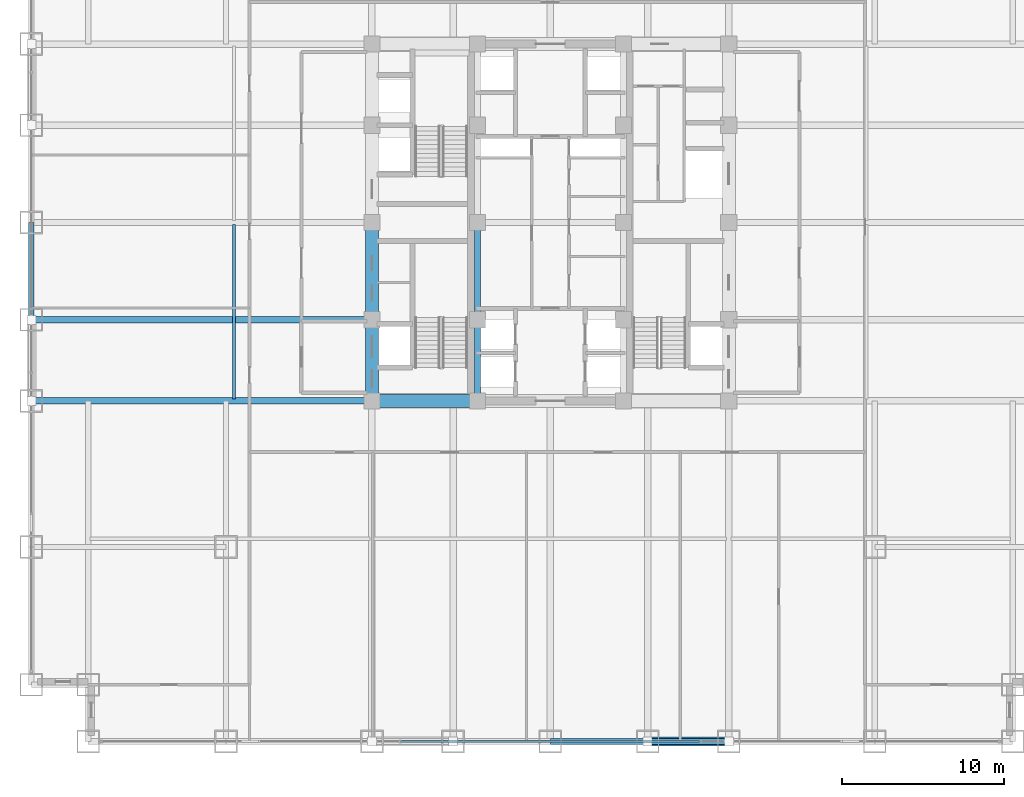
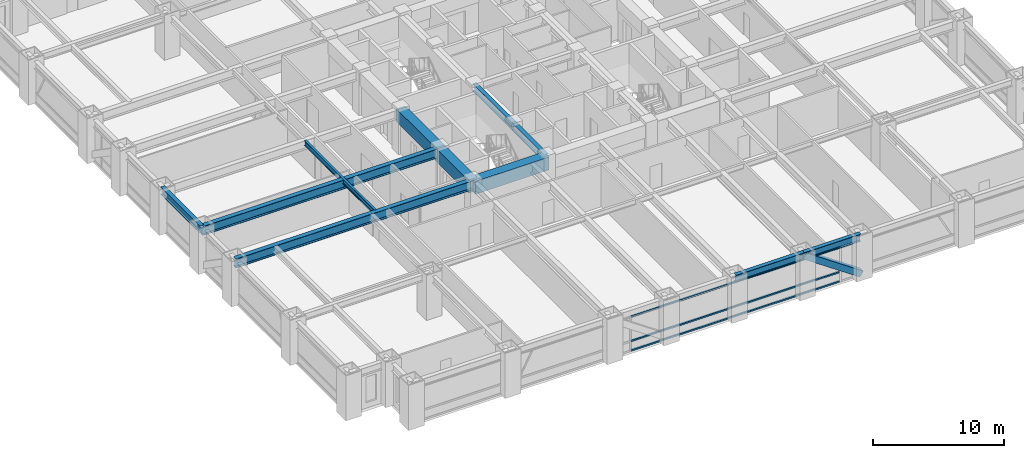
# One storey, part 7 of 27: 11 beams, 4 members, 1 element without a shape of its own.
"""IFC4 building model written with IfcOpenShell, lengths in metres."""

from ifc_helpers import new_model, si_unit, direction, frame, origin, origin_2d, place, context, subcontext, project, spatial, rectangle, hollow_rectangle, i_section, extrude, source, transform, mapped, material, material_profile, profile_set, type_object, element, aggregate, save


model = new_model("IFC4")

# Units and contexts
model_context = context("Model", 3, precision=1e-05, world=origin(), true_north=direction((0.0, 1.0)))
body_context = subcontext(model_context, "Body", "Model", "MODEL_VIEW")
ifc_project = project(units=[si_unit("LENGTHUNIT", "METRE"), si_unit("AREAUNIT", "SQUARE_METRE"), si_unit("VOLUMEUNIT", "CUBIC_METRE"), si_unit("PLANEANGLEUNIT", "RADIAN"), si_unit("MASSUNIT", "GRAM", prefix="KILO")], contexts=[model_context])

# Site, building, storey
site_placement = place(None, origin())
site = spatial("IfcSite", under=ifc_project, at=site_placement, CompositionType="ELEMENT")
building_placement = place(site_placement, origin())
building = spatial("IfcBuilding", under=site, at=building_placement, Name="Khorayat Bourse Tower", CompositionType="ELEMENT")
storey_placement = place(building_placement, frame((0.0, 0.0, 45.199951171875)))
storey = spatial("IfcBuildingStorey", under=building, at=storey_placement, Name="L09", CompositionType="ELEMENT", Elevation=45.199951171875)

# Beams
ifc_material_1 = material(Name="Concrete C72/90", Category="concrete")
ifc_material_profile_1 = material_profile(ifc_material_1, rectangle(XDim=0.800048828125, YDim=1.199951171875, at=origin_2d()), Name="RC 800x1200")
ifc_profile_set_1 = profile_set([ifc_material_profile_1], Name="Concrete C72/90")
beam_type_1 = type_object("IfcBeamType", Name="BM-COUP-1200", PredefinedType="BEAM", material=ifc_profile_set_1)
shared_shape_1 = source(origin(), body_context, "Body", "SweptSolid", [
    extrude(rectangle(XDim=0.800048828125, YDim=1.199951171875, at=origin_2d()), origin(), (0.0, 0.0, 1.0), 5.0),
])
beam_1_placement = place(storey_placement, frame((-11.0, -11.0, 3.340087890625), z_axis=(0.0, 1.0, 0.0), x_axis=(-1.0, 0.0, 0.0)))
element("IfcBeam", 1, at=beam_1_placement, inside=storey, type_object=beam_type_1, Name="L09 BM-COUP-1200 BM-L09-CRX-01", PredefinedType="BEAM", context=body_context, shape_type="MappedRepresentation", body=[
    mapped(shared_shape_1, transform((0.0, 0.0, 0.0), scale=1.0)),
])
shared_shape_2 = source(origin(), body_context, "Body", "SweptSolid", [
    extrude(rectangle(XDim=0.800048828125, YDim=1.199951171875, at=origin_2d()), origin(), (0.0, 0.0, 1.0), 6.0),
])
beam_2_placement = place(storey_placement, frame((-11.0, -6.0, 3.340087890625), z_axis=(0.0, 1.0, 0.0), x_axis=(-1.0, 0.0, 0.0)))
element("IfcBeam", 2, at=beam_2_placement, inside=storey, type_object=beam_type_1, Name="L09 BM-COUP-1200 BM-L09-CRX-02", PredefinedType="BEAM", context=body_context, shape_type="MappedRepresentation", body=[
    mapped(shared_shape_2, transform((0.0, 0.0, 0.0), scale=1.0)),
])
ifc_material_2 = material(Name="Steel ASTM A992 Grade 50", Category="steel")
ifc_material_profile_2 = material_profile(ifc_material_2, i_section(OverallWidth=0.35498046875, OverallDepth=0.695068359375, WebThickness=0.015380859375, FlangeThickness=0.02490234375, FilletRadius=0.01806640625, at=origin_2d()), Name="W690X217")
ifc_profile_set_2 = profile_set([ifc_material_profile_2], Name="Steel ASTM A992 Grade 50")
beam_type_2 = type_object("IfcBeamType", Name="BM-GIRD-690", PredefinedType="BEAM", material=ifc_profile_set_2)
shared_shape_3 = source(origin(), body_context, "Body", "SweptSolid", [
    extrude(i_section(OverallWidth=0.35498046875, OverallDepth=0.695068359375, WebThickness=0.015380859375, FlangeThickness=0.02490234375, FilletRadius=0.01806640625, at=origin_2d()), origin(), (0.0, 0.0, 1.0), 5.0),
])
beam_3_placement = place(storey_placement, frame((-4.5, -11.0, 3.592529296875), z_axis=(0.0, 1.0, 0.0), x_axis=(-1.0, 0.0, 0.0)))
element("IfcBeam", 3, at=beam_3_placement, inside=storey, type_object=beam_type_2, Name="L09 BM-GIRD-690 BM-L09-CRX-05", PredefinedType="BEAM", context=body_context, shape_type="MappedRepresentation", body=[
    mapped(shared_shape_3, transform((0.0, 0.0, 0.0), scale=1.0)),
])
shared_shape_4 = source(origin(), body_context, "Body", "SweptSolid", [
    extrude(i_section(OverallWidth=0.35498046875, OverallDepth=0.695068359375, WebThickness=0.015380859375, FlangeThickness=0.02490234375, FilletRadius=0.01806640625, at=origin_2d()), origin(), (0.0, 0.0, 1.0), 6.0),
])
beam_4_placement = place(storey_placement, frame((-4.5, -6.0, 3.592529296875), z_axis=(0.0, 1.0, 0.0), x_axis=(-1.0, 0.0, 0.0)))
element("IfcBeam", 4, at=beam_4_placement, inside=storey, type_object=beam_type_2, Name="L09 BM-GIRD-690 BM-L09-CRX-06", PredefinedType="BEAM", context=body_context, shape_type="MappedRepresentation", body=[
    mapped(shared_shape_4, transform((0.0, 0.0, 0.0), scale=1.0)),
])
shared_shape_5 = source(origin(), body_context, "Body", "SweptSolid", [
    extrude(rectangle(XDim=0.800048828125, YDim=1.199951171875, at=origin_2d()), origin(), (0.0, 0.0, 1.0), 6.5),
])
beam_5_placement = place(storey_placement, frame((-11.0, -11.0, 3.340087890625), z_axis=(1.0, 0.0, 0.0), x_axis=(0.0, 1.0, 0.0)))
element("IfcBeam", 5, at=beam_5_placement, inside=storey, type_object=beam_type_1, Name="L09 BM-COUP-1200 BM-L09-CRY-17", PredefinedType="BEAM", context=body_context, shape_type="MappedRepresentation", body=[
    mapped(shared_shape_5, transform((0.0, 0.0, 0.0), scale=1.0)),
])
ifc_material_profile_3 = material_profile(ifc_material_2, i_section(OverallWidth=0.35498046875, OverallDepth=0.695068359375, WebThickness=0.015380859375, FlangeThickness=0.02490234375, FilletRadius=0.01806640625, at=origin_2d()), Name="W690X217")
ifc_profile_set_3 = profile_set([ifc_material_profile_3], Name="Steel ASTM A992 Grade 50")
beam_type_3 = type_object("IfcBeamType", Name="BM-SPAN-690", PredefinedType="SPANDREL", material=ifc_profile_set_3)
shared_shape_6 = source(origin(), body_context, "Body", "SweptSolid", [
    extrude(i_section(OverallWidth=0.35498046875, OverallDepth=0.695068359375, WebThickness=0.015380859375, FlangeThickness=0.02490234375, FilletRadius=0.01806640625, at=origin_2d()), origin(), (0.0, 0.0, 1.0), 5.0),
])
beam_6_placement = place(storey_placement, frame((6.0, -32.0, 3.592529296875), z_axis=(1.0, 0.0, 0.0), x_axis=(0.0, 1.0, 0.0)))
element("IfcBeam", 6, at=beam_6_placement, inside=storey, type_object=beam_type_3, Name="L09 BM-SPAN-690 BM-L09-SPN-029", PredefinedType="SPANDREL", context=body_context, shape_type="MappedRepresentation", body=[
    mapped(shared_shape_6, transform((0.0, 0.0, 0.0), scale=1.0)),
])
shared_shape_7 = source(origin(), body_context, "Body", "SweptSolid", [
    extrude(i_section(OverallWidth=0.35498046875, OverallDepth=0.695068359375, WebThickness=0.015380859375, FlangeThickness=0.02490234375, FilletRadius=0.01806640625, at=origin_2d()), origin(), (0.0, 0.0, 1.0), 6.0),
])
for number, where, z_axis, x_axis, name in (
    (7, (0.0, -32.0, 3.592529296875), (1.0, 0.0, 0.0), (0.0, 1.0, 0.0), "L09 BM-SPAN-690 BM-L09-SPN-028"),
    (8, (-32.0, -6.0, 3.592529296875), (0.0, 1.0, 0.0), (-1.0, 0.0, 0.0), "L09 BM-SPAN-690 BM-L09-SPN-058"),
):
    element("IfcBeam", number, at=place(storey_placement, frame(where, z_axis=z_axis, x_axis=x_axis)), inside=storey, type_object=beam_type_3, Name=name, PredefinedType="SPANDREL", context=body_context, shape_type="MappedRepresentation", body=[
        mapped(shared_shape_7, transform((0.0, 0.0, 0.0), scale=1.0)),
    ])
ifc_material_profile_4 = material_profile(ifc_material_2, i_section(OverallWidth=0.39990234375, OverallDepth=0.85498046875, WebThickness=0.018310546875, FlangeThickness=0.029296875, FilletRadius=0.02001953125, at=origin_2d()), Name="W840X299")
ifc_profile_set_4 = profile_set([ifc_material_profile_4], Name="Steel ASTM A992 Grade 50")
beam_type_4 = type_object("IfcBeamType", Name="BM-GIRD-840", PredefinedType="BEAM", material=ifc_profile_set_4)
shared_shape_8 = source(origin(), body_context, "Body", "SweptSolid", [
    extrude(i_section(OverallWidth=0.39990234375, OverallDepth=0.85498046875, WebThickness=0.018310546875, FlangeThickness=0.029296875, FilletRadius=0.02001953125, at=origin_2d()), origin(), (0.0, 0.0, 1.0), 21.0),
])
for number, where, z_axis, x_axis, name in (
    (9, (-32.0, -11.0, 3.512451171875), (1.0, 0.0, 0.0), (0.0, 1.0, 0.0), "L09 BM-GIRD-840 BM-L09-RADX-075"),
    (10, (-32.0, -6.0, 3.512451171875), (1.0, 0.0, 0.0), (0.0, 1.0, 0.0), "L09 BM-GIRD-840 BM-L09-RADX-077"),
):
    element("IfcBeam", number, at=place(storey_placement, frame(where, z_axis=z_axis, x_axis=x_axis)), inside=storey, type_object=beam_type_4, Name=name, PredefinedType="BEAM", context=body_context, shape_type="MappedRepresentation", body=[
        mapped(shared_shape_8, transform((0.0, 0.0, 0.0), scale=1.0)),
    ])
ifc_material_profile_5 = material_profile(ifc_material_2, i_section(OverallWidth=0.194091796875, OverallDepth=0.468994140625, WebThickness=0.0126953125, FlangeThickness=0.0205078125, FilletRadius=0.012939453125, at=origin_2d()), Name="W460X106")
ifc_profile_set_5 = profile_set([ifc_material_profile_5], Name="Steel ASTM A992 Grade 50")
beam_type_5 = type_object("IfcBeamType", Name="BM-JOIST-460", PredefinedType="JOIST", material=ifc_profile_set_5)
shared_shape_9 = source(origin(), body_context, "Body", "SweptSolid", [
    extrude(i_section(OverallWidth=0.194091796875, OverallDepth=0.468994140625, WebThickness=0.0126953125, FlangeThickness=0.0205078125, FilletRadius=0.012939453125, at=origin_2d()), origin(), (0.0, 0.0, 1.0), 10.740234375),
])
beam_7_placement = place(storey_placement, frame((-19.5, -10.8701171875, 3.70556640625), z_axis=(0.0, 1.0, 0.0), x_axis=(-1.0, 0.0, 0.0)))
element("IfcBeam", 11, at=beam_7_placement, inside=storey, type_object=beam_type_5, Name="L09 BM-JOIST-460 BM-L09-JSTY-102", PredefinedType="JOIST", context=body_context, shape_type="MappedRepresentation", body=[
    mapped(shared_shape_9, transform((0.0, 0.0, 0.0), scale=1.0)),
])

# Member
ifc_material_3 = material(Name="Steel EN 10025-4 S460M", Category="steel")
ifc_material_profile_6 = material_profile(ifc_material_3, hollow_rectangle(XDim=0.550048828125, YDim=0.550048828125, WallThickness=0.031982421875, at=origin_2d()), Name="HSS 550x550x32")
ifc_profile_set_6 = profile_set([ifc_material_profile_6], Name="Steel EN 10025-4 S460M")
member_type_1 = type_object("IfcMemberType", Name="MBR-TUBE-550", PredefinedType="BRACE", material=ifc_profile_set_6)
shared_shape_10 = source(origin(), body_context, "Body", "SweptSolid", [
    extrude(hollow_rectangle(XDim=0.550048828125, YDim=0.550048828125, WallThickness=0.031982421875, at=origin_2d()), origin(), (0.0, 0.0, 1.0), 6.069091796875),
])
member_1_placement = place(storey_placement, frame((6.0, -32.0, 3.68994140625), z_axis=(0.823854080622, 0.0, -0.566801952928), x_axis=(0.0, 1.0, 0.0)))
element("IfcMember", 12, at=member_1_placement, inside=storey, type_object=member_type_1, Name="L09 Perimeter Tube Brace 02", PredefinedType="BRACE", context=body_context, shape_type="MappedRepresentation", body=[
    mapped(shared_shape_10, transform((0.0, 0.0, 0.0), scale=1.0)),
])

# Curtain wall, members
ifc_material_4 = material(Name="Aluminium EN AW-6063 T6", Category="aluminium")
curtain_wall_type = type_object("IfcCurtainWallType", Name="CW-SYS-02", PredefinedType="NOTDEFINED", material=ifc_material_4)
curtain_wall_placement = place(storey_placement, origin())
curtain_wall = element("IfcCurtainWall", 13, at=curtain_wall_placement, inside=storey, type_object=curtain_wall_type, Name="L09 Curtain Wall CW-L09-S1", PredefinedType="NOTDEFINED")
ifc_material_profile_7 = material_profile(ifc_material_4, hollow_rectangle(XDim=0.139892578125, YDim=0.139892578125, WallThickness=0.006103515625, at=origin_2d()), Name="ALU 140x140x6")
ifc_profile_set_7 = profile_set([ifc_material_profile_7], Name="Aluminium EN AW-6063 T6")
member_type_2 = type_object("IfcMemberType", Name="CWT-HORZ-140", PredefinedType="USERDEFINED", material=ifc_profile_set_7)
shared_shape_11 = source(origin(), body_context, "Body", "SweptSolid", [
    extrude(hollow_rectangle(XDim=0.139892578125, YDim=0.139892578125, WallThickness=0.006103515625, at=origin_2d()), origin(), (0.0, 0.0, 1.0), 18.35986328125),
])
member_2_placement = place(storey_placement, frame((-9.179931640625, -32.0, 0.070068359375), z_axis=(1.0, 0.0, 0.0), x_axis=(0.0, 1.0, 0.0)))
member_2 = element("IfcMember", 14, at=member_2_placement, type_object=member_type_2, Name="CW-L09-S1 Horizontal Transom 2-1", ObjectType="TRANSOM", PredefinedType="USERDEFINED", context=body_context, shape_type="MappedRepresentation", body=[
    mapped(shared_shape_11, transform((0.0, 0.0, 0.0), scale=1.0)),
])
member_3_placement = place(storey_placement, frame((-9.179931640625, -32.0, 0.949951171875), z_axis=(1.0, 0.0, 0.0), x_axis=(0.0, 1.0, 0.0)))
member_3 = element("IfcMember", 15, at=member_3_placement, type_object=member_type_2, Name="CW-L09-S1 Horizontal Transom 2-2", ObjectType="TRANSOM", PredefinedType="USERDEFINED", context=body_context, shape_type="MappedRepresentation", body=[
    mapped(shared_shape_11, transform((0.0, 0.0, 0.0), scale=1.0)),
])
member_4_placement = place(storey_placement, frame((-9.179931640625, -32.0, 3.219970703125), z_axis=(1.0, 0.0, 0.0), x_axis=(0.0, 1.0, 0.0)))
member_4 = element("IfcMember", 16, at=member_4_placement, type_object=member_type_2, Name="CW-L09-S1 Horizontal Transom 2-3", ObjectType="TRANSOM", PredefinedType="USERDEFINED", context=body_context, shape_type="MappedRepresentation", body=[
    mapped(shared_shape_11, transform((0.0, 0.0, 0.0), scale=1.0)),
])
aggregate(curtain_wall, [member_2, member_3, member_4])

save(model, "model.ifc")
